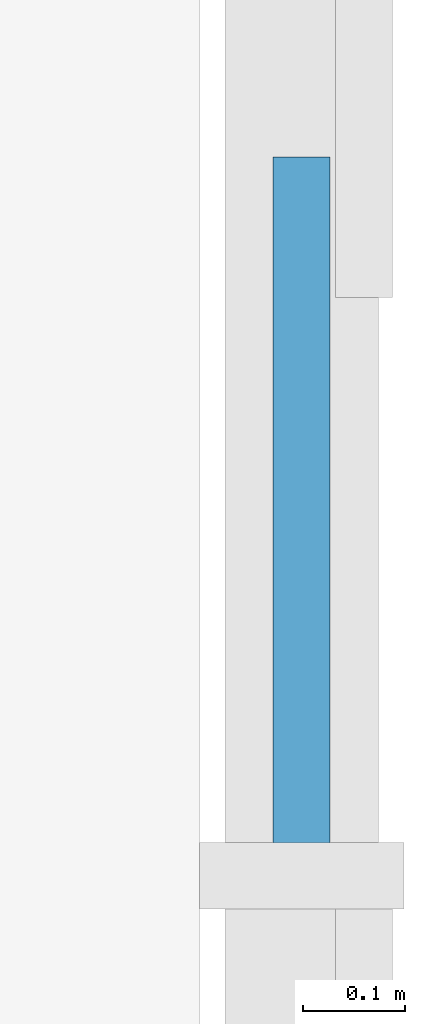
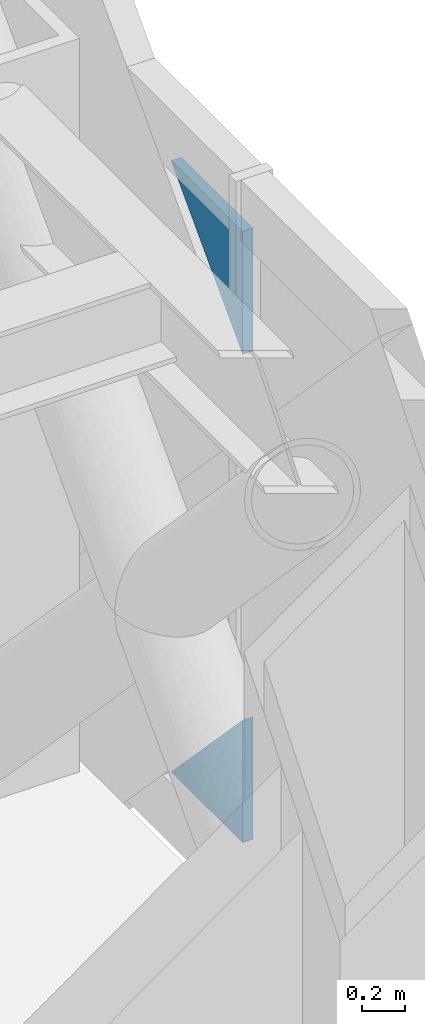
# One storey, part 12 of 17: 2 plates, 1 element without a shape of its own.
"""IFC4 building model written with IfcOpenShell, lengths in metres."""

from ifc_helpers import new_model, si_unit, direction, frame, origin, place, context, subcontext, project, spatial, polyline, outline, extrude, material, layer, layer_set, type_object, element, aggregate, save


model = new_model("IFC4")

# Units and contexts
model_context = context("Model", 3, precision=1e-05, world=origin(), true_north=direction((0.0, 1.0)))
body_context = subcontext(model_context, "Body", "Model", "MODEL_VIEW")
ifc_project = project(units=[si_unit("LENGTHUNIT", "METRE"), si_unit("AREAUNIT", "SQUARE_METRE"), si_unit("VOLUMEUNIT", "CUBIC_METRE"), si_unit("PLANEANGLEUNIT", "RADIAN"), si_unit("MASSUNIT", "GRAM", prefix="KILO")], contexts=[model_context])

# Site, building, storey
site_placement = place(None, origin())
site = spatial("IfcSite", under=ifc_project, at=site_placement, CompositionType="ELEMENT")
building_placement = place(site_placement, origin())
building = spatial("IfcBuilding", under=site, at=building_placement, Name="Rheinbord Bourse Tower", CompositionType="ELEMENT")
storey_placement = place(building_placement, frame((0.0, 0.0, 283.699951171875)))
storey = spatial("IfcBuildingStorey", under=building, at=storey_placement, Name="L64", CompositionType="ELEMENT", Elevation=283.699951171875)

# Curtain wall, plates
ifc_material_1 = material(Name="Dark glass and black aluminium", Category="aluminium")
curtain_wall_type = type_object("IfcCurtainWallType", Name="CW3 DARK GLASS CURTAIN WALL", PredefinedType="USERDEFINED", material=ifc_material_1)
curtain_wall_placement = place(storey_placement, origin())
curtain_wall = element("IfcCurtainWall", 1, at=curtain_wall_placement, inside=storey, type_object=curtain_wall_type, Name="Curtain wall CW3 E L64", ObjectType="UNITISED CURTAIN WALL", PredefinedType="USERDEFINED")
ifc_material_2 = material(Name="Dark tinted triple insulating glass", Category="glass")
ifc_layer = layer(ifc_material_2, 0.055908203125)
ifc_layer_set = layer_set([ifc_layer], Name="CW3 DARK GLASS PANEL")
plate_type = type_object("IfcPlateType", Name="CW3 DARK GLASS PANEL", PredefinedType="CURTAIN_PANEL", material=ifc_layer_set)
plate_1_placement = place(storey_placement, frame((70.3779296875, 14.23193359375, 0.35009765625), z_axis=(-1.0, 0.0, 0.0), x_axis=(0.0, 0.0, 1.0)))
plate_1 = element("IfcPlate", 2, at=plate_1_placement, type_object=plate_type, Name="CW3 glass facet 1", PredefinedType="CURTAIN_PANEL", context=body_context, shape_type="SweptSolid", body=[
    extrude(outline(polyline([(0.0, 0.0), (0.702880859375, 0.0), (0.0, 0.670166015625), (0.0, 0.0)])), origin(), (0.0, 0.0, 1.0), 0.055908203125),
])
plate_2_placement = place(storey_placement, frame((70.3779296875, 14.23193359375, 3.85009765625), z_axis=(-1.0, 0.0, 0.0), x_axis=(0.0, 1.0, 0.0)))
plate_2 = element("IfcPlate", 3, at=plate_2_placement, type_object=plate_type, Name="CW3 glass facet 2", PredefinedType="CURTAIN_PANEL", context=body_context, shape_type="SweptSolid", body=[
    extrude(outline(polyline([(0.0, 0.0), (0.670166015625, 0.0), (0.0, 0.703125), (0.0, 0.0)])), origin(), (0.0, 0.0, 1.0), 0.055908203125),
])
aggregate(curtain_wall, [plate_1, plate_2])

save(model, "model.ifc")
